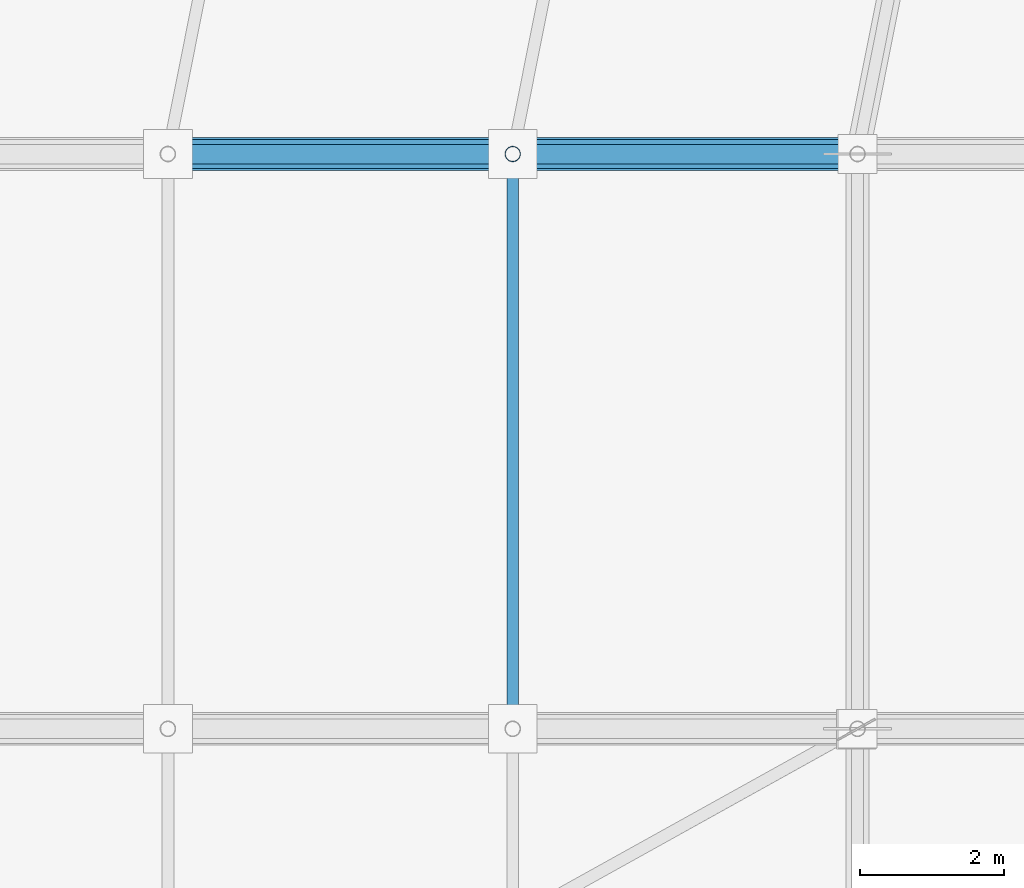
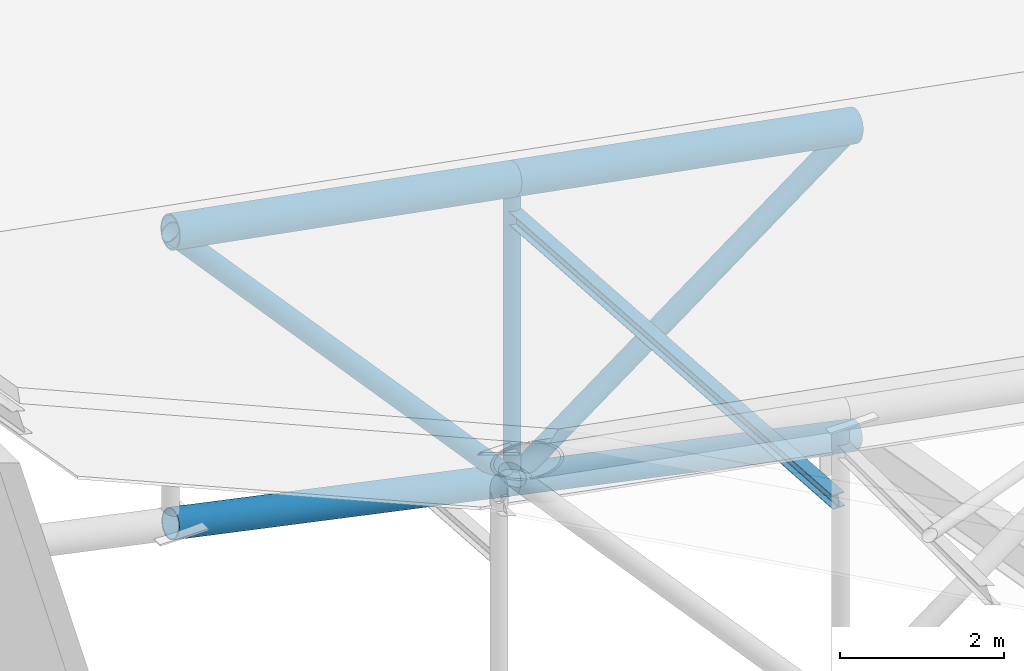
# One storey, part 40 of 146: 8 members.
"""IFC4 building model written with IfcOpenShell, lengths in metres."""

from ifc_helpers import new_model, si_unit, direction, frame, origin, origin_2d, place, context, subcontext, project, spatial, hollow_circle, i_section, extrude, material, material_profile, profile_set, type_object, element, save


model = new_model("IFC4")

# Units and contexts
model_context = context("Model", 3, precision=1e-05, world=origin(), true_north=direction((0.0, 1.0)))
body_context = subcontext(model_context, "Body", "Model", "MODEL_VIEW")
ifc_project = project(units=[si_unit("LENGTHUNIT", "METRE"), si_unit("AREAUNIT", "SQUARE_METRE"), si_unit("VOLUMEUNIT", "CUBIC_METRE"), si_unit("PLANEANGLEUNIT", "RADIAN"), si_unit("MASSUNIT", "GRAM", prefix="KILO")], contexts=[model_context])

# Site, building, storey
site_placement = place(None, origin())
site = spatial("IfcSite", under=ifc_project, at=site_placement, CompositionType="ELEMENT")
building_placement = place(site_placement, origin())
building = spatial("IfcBuilding", under=site, at=building_placement, Name="Candeia Ridge Stadium", CompositionType="ELEMENT")
storey_placement = place(building_placement, frame((0.0, 0.0, 31.800048828125)))
storey = spatial("IfcBuildingStorey", under=building, at=storey_placement, Name="RF", CompositionType="ELEMENT", Elevation=31.800048828125)

# Members
ifc_material = material(Name="Steel ASTM A572 Grade 50", Category="steel")
ifc_material_profile_1 = material_profile(ifc_material, i_section(OverallWidth=0.1650390625, OverallDepth=0.200927734375, WebThickness=0.006103515625, FlangeThickness=0.01025390625, FilletRadius=0.010009765625, at=origin_2d()), Name="W200x35.9", Category="steel")
ifc_profile_set_1 = profile_set([ifc_material_profile_1], Name="Steel ASTM A572 Grade 50")
member_type_1 = type_object("IfcMemberType", Name="Roof Purlin W200x35.9", PredefinedType="PURLIN", material=ifc_profile_set_1)
member_1_placement = place(storey_placement, frame((28.60009765625, 94.9501953125, 2.307373046875), z_axis=(0.0, -0.997559396595, 0.069822992376), x_axis=(1.0, 0.0, 0.0)))
element("IfcMember", 1, at=member_1_placement, inside=storey, type_object=member_type_1, Name="Saddle roof steel purlin bay 12-3", PredefinedType="PURLIN", context=body_context, shape_type="SweptSolid", body=[
    extrude(i_section(OverallWidth=0.1650390625, OverallDepth=0.200927734375, WebThickness=0.006103515625, FlangeThickness=0.01025390625, FilletRadius=0.010009765625, at=origin_2d()), origin(), (0.0, 0.0, 1.0), 7.919677734375),
])
ifc_material_profile_2 = material_profile(ifc_material, hollow_circle(Radius=0.136474609375, WallThickness=0.010009765625, at=origin_2d()), Name="CHS273x10", Category="steel")
ifc_profile_set_2 = profile_set([ifc_material_profile_2], Name="Steel ASTM A572 Grade 50")
member_type_2 = type_object("IfcMemberType", Name="Roof Truss Heavy Web Brace CHS273x10", PredefinedType="BRACE", material=ifc_profile_set_2)
member_2_placement = place(storey_placement, frame((33.39990234375, 95.0, 1.93603515625), z_axis=(-0.801680135344, 0.0, -0.597753260631), x_axis=(0.0, -1.0, 0.0)))
element("IfcMember", 2, at=member_2_placement, inside=storey, type_object=member_type_2, Name="Roof cantilever truss RT-12 diagonal web 4", PredefinedType="BRACE", context=body_context, shape_type="SweptSolid", body=[
    extrude(hollow_circle(Radius=0.136474609375, WallThickness=0.010009765625, at=origin_2d()), origin(), (0.0, 0.0, 1.0), 5.987060546875),
])
member_3_placement = place(storey_placement, frame((28.60009765625, 95.0, -1.642822265625), z_axis=(-0.667487252066, 0.0, 0.744621224737), x_axis=(0.0, -1.0, 0.0)))
element("IfcMember", 3, at=member_3_placement, inside=storey, type_object=member_type_2, Name="Roof cantilever truss RT-12 diagonal web 5", PredefinedType="BRACE", context=body_context, shape_type="SweptSolid", body=[
    extrude(hollow_circle(Radius=0.136474609375, WallThickness=0.010009765625, at=origin_2d()), origin(), (0.0, 0.0, 1.0), 7.191162109375),
])
ifc_material_profile_3 = material_profile(ifc_material, hollow_circle(Radius=0.109619140625, WallThickness=0.010009765625, at=origin_2d()), Name="CHS219x10", Category="steel")
ifc_profile_set_3 = profile_set([ifc_material_profile_3], Name="Steel ASTM A572 Grade 50")
member_type_3 = type_object("IfcMemberType", Name="Roof Truss Inner Web Brace CHS219x10", PredefinedType="BRACE", material=ifc_profile_set_3)
member_4_placement = place(storey_placement, frame((28.60009765625, 95.0, -1.642822265625), z_axis=(0.0, 0.0, 1.0), x_axis=(1.0, 0.0, 0.0)))
element("IfcMember", 4, at=member_4_placement, inside=storey, type_object=member_type_3, Name="Roof cantilever truss RT-12 vertical post 4", PredefinedType="BRACE", context=body_context, shape_type="SweptSolid", body=[
    extrude(hollow_circle(Radius=0.109619140625, WallThickness=0.010009765625, at=origin_2d()), origin(), (0.0, 0.0, 1.0), 4.466796875),
])
ifc_material_profile_4 = material_profile(ifc_material, hollow_circle(Radius=0.228515625, WallThickness=0.02001953125, at=origin_2d()), Name="CHS457x20", Category="steel")
ifc_profile_set_4 = profile_set([ifc_material_profile_4], Name="Steel ASTM A572 Grade 50")
member_type_4 = type_object("IfcMemberType", Name="Roof Truss Main Chord CHS457x20", PredefinedType="CHORD", material=ifc_profile_set_4)
member_5_placement = place(storey_placement, frame((33.39990234375, 95.0, 1.93603515625), z_axis=(-0.983315487156, 0.0, 0.181908363519), x_axis=(0.0, -1.0, 0.0)))
element("IfcMember", 5, at=member_5_placement, inside=storey, type_object=member_type_4, Name="Roof cantilever truss RT-12 top chord 4", PredefinedType="CHORD", context=body_context, shape_type="SweptSolid", body=[
    extrude(hollow_circle(Radius=0.228515625, WallThickness=0.02001953125, at=origin_2d()), origin(), (0.0, 0.0, 1.0), 4.88134765625),
])
member_6_placement = place(storey_placement, frame((28.60009765625, 95.0, 2.823974609375), z_axis=(-0.983317142098, 0.0, 0.181899417416), x_axis=(0.0, -1.0, 0.0)))
element("IfcMember", 6, at=member_6_placement, inside=storey, type_object=member_type_4, Name="Roof cantilever truss RT-12 top chord 5", PredefinedType="CHORD", context=body_context, shape_type="SweptSolid", body=[
    extrude(hollow_circle(Radius=0.228515625, WallThickness=0.02001953125, at=origin_2d()), origin(), (0.0, 0.0, 1.0), 4.881591796875),
])
ifc_material_profile_5 = material_profile(ifc_material, hollow_circle(Radius=0.202880859375, WallThickness=0.01611328125, at=origin_2d()), Name="CHS406x16", Category="steel")
ifc_profile_set_5 = profile_set([ifc_material_profile_5], Name="Steel ASTM A572 Grade 50")
member_type_5 = type_object("IfcMemberType", Name="Roof Truss Outer Chord CHS406x16", PredefinedType="CHORD", material=ifc_profile_set_5)
member_7_placement = place(storey_placement, frame((33.39990234375, 95.0, -2.6640625), z_axis=(-0.978105713519, 0.0, 0.208108657154), x_axis=(0.0, -1.0, 0.0)))
element("IfcMember", 7, at=member_7_placement, inside=storey, type_object=member_type_5, Name="Roof cantilever truss RT-12 bottom chord 4", PredefinedType="CHORD", context=body_context, shape_type="SweptSolid", body=[
    extrude(hollow_circle(Radius=0.202880859375, WallThickness=0.01611328125, at=origin_2d()), origin(), (0.0, 0.0, 1.0), 4.9072265625),
])
member_8_placement = place(storey_placement, frame((28.60009765625, 95.0, -1.642822265625), z_axis=(-0.978097741011, 0.0, 0.208146124225), x_axis=(0.0, -1.0, 0.0)))
element("IfcMember", 8, at=member_8_placement, inside=storey, type_object=member_type_5, Name="Roof cantilever truss RT-12 bottom chord 5", PredefinedType="CHORD", context=body_context, shape_type="SweptSolid", body=[
    extrude(hollow_circle(Radius=0.202880859375, WallThickness=0.01611328125, at=origin_2d()), origin(), (0.0, 0.0, 1.0), 4.907470703125),
])

save(model, "model.ifc")
